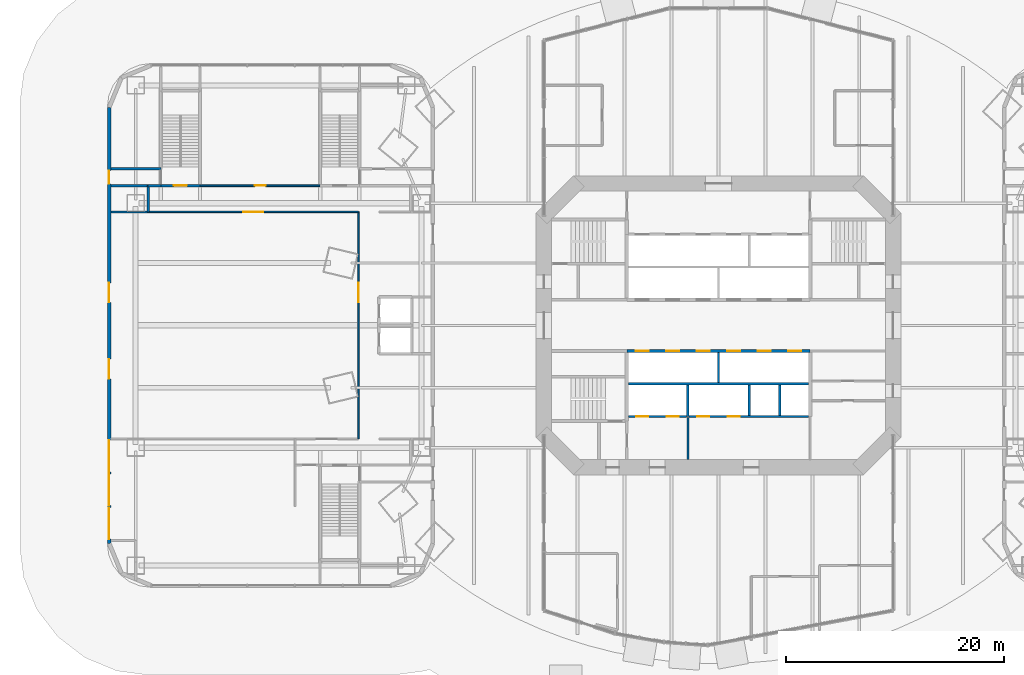
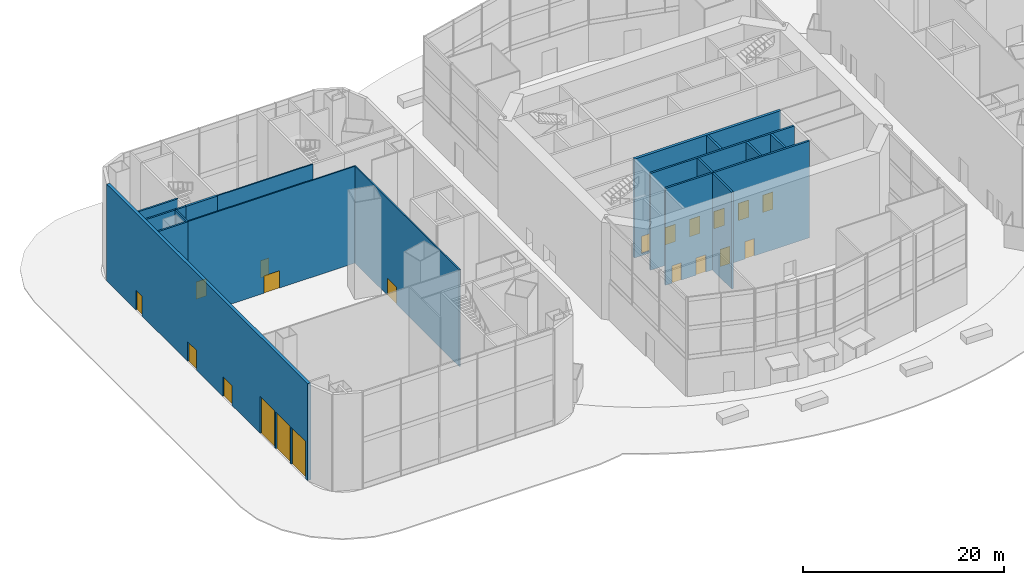
# One storey, part 12 of 23: 20 doors, 19 walls, 20 openings.
"""IFC4 building model written with IfcOpenShell, lengths in metres."""

from ifc_helpers import new_model, si_unit, direction, frame, frame_2d, origin, place, context, subcontext, project, spatial, rectangle, extrude, material, layer, layer_set, type_object, element, fill, save


model = new_model("IFC4")

# Units and contexts
model_context = context("Model", 3, precision=1e-05, world=origin(), true_north=direction((0.0, 1.0)))
body_context = subcontext(model_context, "Body", "Model", "MODEL_VIEW")
ifc_project = project(units=[si_unit("LENGTHUNIT", "METRE"), si_unit("AREAUNIT", "SQUARE_METRE"), si_unit("VOLUMEUNIT", "CUBIC_METRE"), si_unit("PLANEANGLEUNIT", "RADIAN"), si_unit("MASSUNIT", "GRAM", prefix="KILO")], contexts=[model_context])

# Site, building, storey
site_placement = place(None, origin())
site = spatial("IfcSite", under=ifc_project, at=site_placement, CompositionType="ELEMENT")
building_placement = place(site_placement, origin())
building = spatial("IfcBuilding", under=site, at=building_placement, Name="Marenthal Gate Tower", CompositionType="ELEMENT")
storey_placement = place(building_placement, origin())
storey = spatial("IfcBuildingStorey", under=building, at=storey_placement, Name="L00", CompositionType="ELEMENT", Elevation=0.0)

# Wall
ifc_material_1 = material(Name="Gypsum board on steel studs", Category="steel")
ifc_layer_1 = layer(ifc_material_1, 0.199951171875)
ifc_layer_set_1 = layer_set([ifc_layer_1], Name="Fire lobby wall 200")
wall_type_1 = type_object("IfcWallType", Name="Fire lobby wall 200", PredefinedType="PARTITIONING", material=ifc_layer_set_1)
wall_1_placement = place(storey_placement, frame((-2.800048828125, -12.300048828125, 0.0), z_axis=(0.0, 0.0, 1.0), x_axis=(0.0, 1.0, 0.0)))
element("IfcWall", 1, at=wall_1_placement, inside=storey, type_object=wall_type_1, Name="Fire wall 35", PredefinedType="PARTITIONING", context=body_context, shape_type="SweptSolid", body=[
    extrude(rectangle(XDim=3.840087890625, YDim=0.199951171875, at=frame_2d((1.919921875, 0.0))), origin(), (0.0, 0.0, 1.0), 11.75),
])

# Wall, openings, doors
ifc_material_2 = material(Name="Concrete 50 MPa", Category="concrete")
ifc_layer_2 = layer(ifc_material_2, 0.300048828125)
ifc_layer_set_2 = layer_set([ifc_layer_2], Name="Hoistway shear wall 300")
wall_type_2 = type_object("IfcWallType", Name="Hoistway shear wall 300", PredefinedType="SHEAR", material=ifc_layer_set_2)
wall_2_placement = place(storey_placement, frame((-8.39990234375, -2.35009765625, -0.25), z_axis=(0.0, 0.0, 1.0), x_axis=(1.0, 0.0, 0.0)))
wall_2 = element("IfcWall", 2, at=wall_2_placement, inside=storey, type_object=wall_type_2, Name="Hoistway wall 17", PredefinedType="SHEAR", context=body_context, shape_type="SweptSolid", body=[
    extrude(rectangle(XDim=16.7998046875, YDim=0.300048828125, at=frame_2d((8.39990234375, 0.0))), origin(), (0.0, 0.0, 1.0), 12.0),
])
opening_1_placement = place(wall_2_placement, frame((0.800048828125, 0.0, 0.25)))
opening_1 = element("IfcOpeningElement", 3, at=opening_1_placement, cuts=wall_2, Name="Opening LD-LP7", PredefinedType="OPENING", context=body_context, shape_type="SweptSolid", body=[
    extrude(rectangle(XDim=1.199951171875, YDim=2.10009765625, at=frame_2d((0.60009765625, 1.050048828125))), frame((0.0, 0.16015625, 0.0), z_axis=(0.0, -1.0, 0.0), x_axis=(1.0, 0.0, 0.0)), (0.0, 0.0, 1.0), 0.320068359375),
])
opening_2_placement = place(wall_2_placement, frame((3.60009765625, 0.0, 0.25)))
opening_2 = element("IfcOpeningElement", 4, at=opening_2_placement, cuts=wall_2, Name="Opening LD-LP8", PredefinedType="OPENING", context=body_context, shape_type="SweptSolid", body=[
    extrude(rectangle(XDim=1.199951171875, YDim=2.10009765625, at=frame_2d((0.60009765625, 1.050048828125))), frame((0.0, 0.16015625, 0.0), z_axis=(0.0, -1.0, 0.0), x_axis=(1.0, 0.0, 0.0)), (0.0, 0.0, 1.0), 0.320068359375),
])
opening_3_placement = place(wall_2_placement, frame((6.39990234375, 0.0, 0.25)))
opening_3 = element("IfcOpeningElement", 5, at=opening_3_placement, cuts=wall_2, Name="Opening LD-LP9", PredefinedType="OPENING", context=body_context, shape_type="SweptSolid", body=[
    extrude(rectangle(XDim=1.199951171875, YDim=2.10009765625, at=frame_2d((0.60009765625, 1.050048828125))), frame((0.0, 0.16015625, 0.0), z_axis=(0.0, -1.0, 0.0), x_axis=(1.0, 0.0, 0.0)), (0.0, 0.0, 1.0), 0.320068359375),
])
opening_4_placement = place(wall_2_placement, frame((9.199951171875, 0.0, 0.25)))
opening_4 = element("IfcOpeningElement", 6, at=opening_4_placement, cuts=wall_2, Name="Opening LD-LP10", PredefinedType="OPENING", context=body_context, shape_type="SweptSolid", body=[
    extrude(rectangle(XDim=1.199951171875, YDim=2.10009765625, at=frame_2d((0.60009765625, 1.050048828125))), frame((0.0, 0.16015625, 0.0), z_axis=(0.0, -1.0, 0.0), x_axis=(1.0, 0.0, 0.0)), (0.0, 0.0, 1.0), 0.320068359375),
])
opening_5_placement = place(wall_2_placement, frame((12.0, 0.0, 0.25)))
opening_5 = element("IfcOpeningElement", 7, at=opening_5_placement, cuts=wall_2, Name="Opening LD-LP11", PredefinedType="OPENING", context=body_context, shape_type="SweptSolid", body=[
    extrude(rectangle(XDim=1.199951171875, YDim=2.10009765625, at=frame_2d((0.60009765625, 1.050048828125))), frame((0.0, 0.16015625, 0.0), z_axis=(0.0, -1.0, 0.0), x_axis=(1.0, 0.0, 0.0)), (0.0, 0.0, 1.0), 0.320068359375),
])
opening_6_placement = place(wall_2_placement, frame((14.800048828125, 0.0, 0.25)))
opening_6 = element("IfcOpeningElement", 8, at=opening_6_placement, cuts=wall_2, Name="Opening LD-LP12", PredefinedType="OPENING", context=body_context, shape_type="SweptSolid", body=[
    extrude(rectangle(XDim=1.199951171875, YDim=2.10009765625, at=frame_2d((0.60009765625, 1.050048828125))), frame((0.0, 0.16015625, 0.0), z_axis=(0.0, -1.0, 0.0), x_axis=(1.0, 0.0, 0.0)), (0.0, 0.0, 1.0), 0.320068359375),
])
ifc_material_3 = material(Name="Stainless steel sliding door", Category="steel")
door_type_1 = type_object("IfcDoorType", Name="Lift landing door FD 90 1200 x 2100", OperationType="DOUBLE_DOOR_SLIDING", PredefinedType="DOOR", material=ifc_material_3)
door_1_placement = place(opening_1_placement, origin())
door_1 = element("IfcDoor", 9, at=door_1_placement, inside=storey, type_object=door_type_1, Name="Lift landing door LP7", OperationType="DOUBLE_DOOR_SLIDING", OverallHeight=2.10009765625, OverallWidth=1.199951171875, PredefinedType="DOOR", context=body_context, shape_type="SweptSolid", body=[
    extrude(rectangle(XDim=1.199951171875, YDim=2.10009765625, at=frame_2d((0.60009765625, 1.050048828125))), frame((0.0, 0.02490234375, 0.0), z_axis=(0.0, -1.0, 0.0), x_axis=(1.0, 0.0, 0.0)), (0.0, 0.0, 1.0), 0.050048828125),
])
fill(opening_1, door_1)
door_2_placement = place(opening_2_placement, origin())
door_2 = element("IfcDoor", 10, at=door_2_placement, inside=storey, type_object=door_type_1, Name="Lift landing door LP8", OperationType="DOUBLE_DOOR_SLIDING", OverallHeight=2.10009765625, OverallWidth=1.199951171875, PredefinedType="DOOR", context=body_context, shape_type="SweptSolid", body=[
    extrude(rectangle(XDim=1.199951171875, YDim=2.10009765625, at=frame_2d((0.60009765625, 1.050048828125))), frame((0.0, 0.02490234375, 0.0), z_axis=(0.0, -1.0, 0.0), x_axis=(1.0, 0.0, 0.0)), (0.0, 0.0, 1.0), 0.050048828125),
])
fill(opening_2, door_2)
door_3_placement = place(opening_3_placement, origin())
door_3 = element("IfcDoor", 11, at=door_3_placement, inside=storey, type_object=door_type_1, Name="Lift landing door LP9", OperationType="DOUBLE_DOOR_SLIDING", OverallHeight=2.10009765625, OverallWidth=1.199951171875, PredefinedType="DOOR", context=body_context, shape_type="SweptSolid", body=[
    extrude(rectangle(XDim=1.199951171875, YDim=2.10009765625, at=frame_2d((0.60009765625, 1.050048828125))), frame((0.0, 0.02490234375, 0.0), z_axis=(0.0, -1.0, 0.0), x_axis=(1.0, 0.0, 0.0)), (0.0, 0.0, 1.0), 0.050048828125),
])
fill(opening_3, door_3)
door_4_placement = place(opening_4_placement, origin())
door_4 = element("IfcDoor", 12, at=door_4_placement, inside=storey, type_object=door_type_1, Name="Lift landing door LP10", OperationType="DOUBLE_DOOR_SLIDING", OverallHeight=2.10009765625, OverallWidth=1.199951171875, PredefinedType="DOOR", context=body_context, shape_type="SweptSolid", body=[
    extrude(rectangle(XDim=1.199951171875, YDim=2.10009765625, at=frame_2d((0.60009765625, 1.050048828125))), frame((0.0, 0.02490234375, 0.0), z_axis=(0.0, -1.0, 0.0), x_axis=(1.0, 0.0, 0.0)), (0.0, 0.0, 1.0), 0.050048828125),
])
fill(opening_4, door_4)
door_5_placement = place(opening_5_placement, origin())
door_5 = element("IfcDoor", 13, at=door_5_placement, inside=storey, type_object=door_type_1, Name="Lift landing door LP11", OperationType="DOUBLE_DOOR_SLIDING", OverallHeight=2.10009765625, OverallWidth=1.199951171875, PredefinedType="DOOR", context=body_context, shape_type="SweptSolid", body=[
    extrude(rectangle(XDim=1.199951171875, YDim=2.10009765625, at=frame_2d((0.60009765625, 1.050048828125))), frame((0.0, 0.02490234375, 0.0), z_axis=(0.0, -1.0, 0.0), x_axis=(1.0, 0.0, 0.0)), (0.0, 0.0, 1.0), 0.050048828125),
])
fill(opening_5, door_5)
door_6_placement = place(opening_6_placement, origin())
door_6 = element("IfcDoor", 14, at=door_6_placement, inside=storey, type_object=door_type_1, Name="Lift landing door LP12", OperationType="DOUBLE_DOOR_SLIDING", OverallHeight=2.10009765625, OverallWidth=1.199951171875, PredefinedType="DOOR", context=body_context, shape_type="SweptSolid", body=[
    extrude(rectangle(XDim=1.199951171875, YDim=2.10009765625, at=frame_2d((0.60009765625, 1.050048828125))), frame((0.0, 0.02490234375, 0.0), z_axis=(0.0, -1.0, 0.0), x_axis=(1.0, 0.0, 0.0)), (0.0, 0.0, 1.0), 0.050048828125),
])
fill(opening_6, door_6)

ifc_material_4 = material(Name="Concrete 40 MPa", Category="concrete")
ifc_layer_3 = layer(ifc_material_4, 0.219970703125)
ifc_layer_set_3 = layer_set([ifc_layer_3], Name="Hoistway wall 220")
wall_type_3 = type_object("IfcWallType", Name="Hoistway wall 220", PredefinedType="STANDARD", material=ifc_layer_set_3)
wall_3_placement = place(storey_placement, frame((-8.25, -8.35009765625, 0.0), z_axis=(0.0, 0.0, 1.0), x_axis=(1.0, 0.0, 0.0)))
wall_3 = element("IfcWall", 15, at=wall_3_placement, inside=storey, type_object=wall_type_3, Name="Hoistway wall 10", PredefinedType="STANDARD", context=body_context, shape_type="SweptSolid", body=[
    extrude(rectangle(XDim=5.340087890625, YDim=0.219970703125, at=frame_2d((2.669921875, 0.0))), origin(), (0.0, 0.0, 1.0), 11.75),
])
opening_7_placement = place(wall_3_placement, frame((0.699951171875, 0.0, 0.0)))
opening_7 = element("IfcOpeningElement", 16, at=opening_7_placement, cuts=wall_3, Name="Opening LD-LF1", PredefinedType="OPENING", context=body_context, shape_type="SweptSolid", body=[
    extrude(rectangle(XDim=1.10009765625, YDim=2.10009765625, at=frame_2d((0.550048828125, 1.050048828125))), frame((0.0, 0.1201171875, 0.0), z_axis=(0.0, -1.0, 0.0), x_axis=(1.0, 0.0, 0.0)), (0.0, 0.0, 1.0), 0.239990234375),
])
opening_8_placement = place(wall_3_placement, frame((3.5, 0.0, 0.0)))
opening_8 = element("IfcOpeningElement", 17, at=opening_8_placement, cuts=wall_3, Name="Opening LD-LF2", PredefinedType="OPENING", context=body_context, shape_type="SweptSolid", body=[
    extrude(rectangle(XDim=1.10009765625, YDim=2.10009765625, at=frame_2d((0.550048828125, 1.050048828125))), frame((0.0, 0.1201171875, 0.0), z_axis=(0.0, -1.0, 0.0), x_axis=(1.0, 0.0, 0.0)), (0.0, 0.0, 1.0), 0.239990234375),
])
ifc_material_5 = material(Name="Stainless steel sliding door", Category="steel")
door_type_2 = type_object("IfcDoorType", Name="Lift landing door FD 90 1100 x 2100", OperationType="DOUBLE_DOOR_SLIDING", PredefinedType="DOOR", material=ifc_material_5)
door_7_placement = place(opening_7_placement, origin())
door_7 = element("IfcDoor", 18, at=door_7_placement, inside=storey, type_object=door_type_2, Name="Lift landing door LF1", OperationType="DOUBLE_DOOR_SLIDING", OverallHeight=2.10009765625, OverallWidth=1.10009765625, PredefinedType="DOOR", context=body_context, shape_type="SweptSolid", body=[
    extrude(rectangle(XDim=1.10009765625, YDim=2.10009765625, at=frame_2d((0.550048828125, 1.050048828125))), frame((0.0, 0.02490234375, 0.0), z_axis=(0.0, -1.0, 0.0), x_axis=(1.0, 0.0, 0.0)), (0.0, 0.0, 1.0), 0.050048828125),
])
fill(opening_7, door_7)
door_8_placement = place(opening_8_placement, origin())
door_8 = element("IfcDoor", 19, at=door_8_placement, inside=storey, type_object=door_type_2, Name="Lift landing door LF2", OperationType="DOUBLE_DOOR_SLIDING", OverallHeight=2.10009765625, OverallWidth=1.10009765625, PredefinedType="DOOR", context=body_context, shape_type="SweptSolid", body=[
    extrude(rectangle(XDim=1.10009765625, YDim=2.10009765625, at=frame_2d((0.550048828125, 1.050048828125))), frame((0.0, 0.02490234375, 0.0), z_axis=(0.0, -1.0, 0.0), x_axis=(1.0, 0.0, 0.0)), (0.0, 0.0, 1.0), 0.050048828125),
])
fill(opening_8, door_8)

wall_4_placement = place(storey_placement, frame((-2.68994140625, -8.35009765625, 0.0), z_axis=(0.0, 0.0, 1.0), x_axis=(1.0, 0.0, 0.0)))
wall_4 = element("IfcWall", 20, at=wall_4_placement, inside=storey, type_object=wall_type_3, Name="Hoistway wall 11", PredefinedType="STANDARD", context=body_context, shape_type="SweptSolid", body=[
    extrude(rectangle(XDim=10.93994140625, YDim=0.219970703125, at=frame_2d((5.469970703125, 0.0))), origin(), (0.0, 0.0, 1.0), 11.75),
])
opening_9_placement = place(wall_4_placement, frame((0.739990234375, 0.0, 0.0)))
opening_9 = element("IfcOpeningElement", 21, at=opening_9_placement, cuts=wall_4, Name="Opening LD-SV1", PredefinedType="OPENING", context=body_context, shape_type="SweptSolid", body=[
    extrude(rectangle(XDim=1.10009765625, YDim=2.10009765625, at=frame_2d((0.550048828125, 1.050048828125))), frame((0.0, 0.1201171875, 0.0), z_axis=(0.0, -1.0, 0.0), x_axis=(1.0, 0.0, 0.0)), (0.0, 0.0, 1.0), 0.239990234375),
])
opening_10_placement = place(wall_4_placement, frame((3.5400390625, 0.0, 0.0)))
opening_10 = element("IfcOpeningElement", 22, at=opening_10_placement, cuts=wall_4, Name="Opening LD-SV2", PredefinedType="OPENING", context=body_context, shape_type="SweptSolid", body=[
    extrude(rectangle(XDim=1.10009765625, YDim=2.10009765625, at=frame_2d((0.550048828125, 1.050048828125))), frame((0.0, 0.1201171875, 0.0), z_axis=(0.0, -1.0, 0.0), x_axis=(1.0, 0.0, 0.0)), (0.0, 0.0, 1.0), 0.239990234375),
])
door_9_placement = place(opening_9_placement, origin())
door_9 = element("IfcDoor", 23, at=door_9_placement, inside=storey, type_object=door_type_2, Name="Lift landing door SV1", OperationType="DOUBLE_DOOR_SLIDING", OverallHeight=2.10009765625, OverallWidth=1.10009765625, PredefinedType="DOOR", context=body_context, shape_type="SweptSolid", body=[
    extrude(rectangle(XDim=1.10009765625, YDim=2.10009765625, at=frame_2d((0.550048828125, 1.050048828125))), frame((0.0, 0.02490234375, 0.0), z_axis=(0.0, -1.0, 0.0), x_axis=(1.0, 0.0, 0.0)), (0.0, 0.0, 1.0), 0.050048828125),
])
fill(opening_9, door_9)
door_10_placement = place(opening_10_placement, origin())
door_10 = element("IfcDoor", 24, at=door_10_placement, inside=storey, type_object=door_type_2, Name="Lift landing door SV2", OperationType="DOUBLE_DOOR_SLIDING", OverallHeight=2.10009765625, OverallWidth=1.10009765625, PredefinedType="DOOR", context=body_context, shape_type="SweptSolid", body=[
    extrude(rectangle(XDim=1.10009765625, YDim=2.10009765625, at=frame_2d((0.550048828125, 1.050048828125))), frame((0.0, 0.02490234375, 0.0), z_axis=(0.0, -1.0, 0.0), x_axis=(1.0, 0.0, 0.0)), (0.0, 0.0, 1.0), 0.050048828125),
])
fill(opening_10, door_10)

# Walls
wall_5_placement = place(storey_placement, frame((-8.25, -5.35009765625, 0.0), z_axis=(0.0, 0.0, 1.0), x_axis=(1.0, 0.0, 0.0)))
element("IfcWall", 25, at=wall_5_placement, inside=storey, type_object=wall_type_3, Name="Hoistway wall 13", PredefinedType="STANDARD", context=body_context, shape_type="SweptSolid", body=[
    extrude(rectangle(XDim=16.5, YDim=0.219970703125, at=frame_2d((8.25, 0.0))), origin(), (0.0, 0.0, 1.0), 11.75),
])
wall_6_placement = place(storey_placement, frame((-2.800048828125, -8.35009765625, 0.0), z_axis=(0.0, 0.0, 1.0), x_axis=(0.0, 1.0, 0.0)))
element("IfcWall", 26, at=wall_6_placement, inside=storey, type_object=wall_type_3, Name="Hoistway wall 36", PredefinedType="STANDARD", context=body_context, shape_type="SweptSolid", body=[
    extrude(rectangle(XDim=2.89013671875, YDim=0.219970703125, at=frame_2d((1.445068359375, 0.0))), origin(), (0.0, 0.0, 1.0), 11.75),
])
wall_7_placement = place(storey_placement, frame((0.0, -5.239990234375, 0.0), z_axis=(0.0, 0.0, 1.0), x_axis=(0.0, 1.0, 0.0)))
element("IfcWall", 27, at=wall_7_placement, inside=storey, type_object=wall_type_3, Name="Hoistway wall 37", PredefinedType="STANDARD", context=body_context, shape_type="SweptSolid", body=[
    extrude(rectangle(XDim=2.739990234375, YDim=0.219970703125, at=frame_2d((1.3701171875, 0.0))), origin(), (0.0, 0.0, 1.0), 11.75),
])
for number, where, z_axis, x_axis, name in (
    (28, (2.800048828125, -8.239990234375, 0.0), (0.0, 0.0, 1.0), (0.0, 1.0, 0.0), "Hoistway wall 39"),
    (29, (5.60009765625, -8.239990234375, 0.0), (0.0, 0.0, 1.0), (0.0, 1.0, 0.0), "Hoistway wall 41"),
):
    element("IfcWall", number, at=place(storey_placement, frame(where, z_axis=z_axis, x_axis=x_axis)), inside=storey, type_object=wall_type_3, Name=name, PredefinedType="STANDARD", context=body_context, shape_type="SweptSolid", body=[
        extrude(rectangle(XDim=2.780029296875, YDim=0.219970703125, at=frame_2d((1.39013671875, 0.0))), origin(), (0.0, 0.0, 1.0), 11.75),
    ])

# Wall, opening, door
ifc_material_6 = material(Name="Gypsum board on steel studs", Category="steel")
ifc_layer_4 = layer(ifc_material_6, 0.14990234375)
ifc_layer_set_4 = layer_set([ifc_layer_4], Name="Partition 150")
wall_type_4 = type_object("IfcWallType", Name="Partition 150", PredefinedType="PARTITIONING", material=ifc_layer_set_4)
wall_8_placement = place(storey_placement, frame((-52.25, 10.39990234375, 0.0), z_axis=(0.0, 0.0, 1.0), x_axis=(1.0, 0.0, 0.0)))
wall_8 = element("IfcWall", 30, at=wall_8_placement, inside=storey, type_object=wall_type_4, Name="Partition wall 80", PredefinedType="PARTITIONING", context=body_context, shape_type="SweptSolid", body=[
    extrude(rectangle(XDim=19.2548828125, YDim=0.14990234375, at=frame_2d((9.62744140625, 0.0))), origin(), (0.0, 0.0, 1.0), 11.75),
])
opening_11_placement = place(wall_8_placement, frame((8.722412109375, 0.0, 0.0)))
opening_11 = element("IfcOpeningElement", 31, at=opening_11_placement, cuts=wall_8, Name="Opening D014.05", PredefinedType="OPENING", context=body_context, shape_type="SweptSolid", body=[
    extrude(rectangle(XDim=1.800048828125, YDim=2.10009765625, at=frame_2d((0.89990234375, 1.050048828125))), frame((0.0, 0.0849609375, 0.0), z_axis=(0.0, -1.0, 0.0), x_axis=(1.0, 0.0, 0.0)), (0.0, 0.0, 1.0), 0.169921875),
])
ifc_material_7 = material(Name="Timber door", Category="wood")
door_type_3 = type_object("IfcDoorType", Name="Double door 1800 x 2100", OperationType="DOUBLE_DOOR_SINGLE_SWING", PredefinedType="DOOR", material=ifc_material_7)
door_11_placement = place(opening_11_placement, origin())
door_11 = element("IfcDoor", 32, at=door_11_placement, inside=storey, type_object=door_type_3, Name="Door D014.05", OperationType="DOUBLE_DOOR_SINGLE_SWING", OverallHeight=2.10009765625, OverallWidth=1.800048828125, PredefinedType="DOOR", context=body_context, shape_type="SweptSolid", body=[
    extrude(rectangle(XDim=1.800048828125, YDim=2.10009765625, at=frame_2d((0.89990234375, 1.050048828125))), frame((0.0, 0.02490234375, 0.0), z_axis=(0.0, -1.0, 0.0), x_axis=(1.0, 0.0, 0.0)), (0.0, 0.0, 1.0), 0.050048828125),
])
fill(opening_11, door_11)

wall_9_placement = place(storey_placement, frame((-47.5048828125, 12.800048828125, 0.0), z_axis=(0.0, 0.0, 1.0), x_axis=(1.0, 0.0, 0.0)))
wall_9 = element("IfcWall", 33, at=wall_9_placement, inside=storey, type_object=wall_type_4, Name="Partition wall 84", PredefinedType="PARTITIONING", context=body_context, shape_type="SweptSolid", body=[
    extrude(rectangle(XDim=11.009765625, YDim=0.14990234375, at=frame_2d((5.5048828125, 0.0))), origin(), (0.0, 0.0, 1.0), 11.75),
])
opening_12_placement = place(wall_9_placement, frame((5.0048828125, 0.0, 0.0)))
opening_12 = element("IfcOpeningElement", 34, at=opening_12_placement, cuts=wall_9, Name="Opening D012.13", PredefinedType="OPENING", context=body_context, shape_type="SweptSolid", body=[
    extrude(rectangle(XDim=1.0, YDim=2.10009765625, at=frame_2d((0.5, 1.050048828125))), frame((0.0, 0.0849609375, 0.0), z_axis=(0.0, -1.0, 0.0), x_axis=(1.0, 0.0, 0.0)), (0.0, 0.0, 1.0), 0.169921875),
])
ifc_material_8 = material(Name="Timber door", Category="wood")
door_type_4 = type_object("IfcDoorType", Name="Door 1000 x 2100", OperationType="NOTDEFINED", PredefinedType="DOOR", material=ifc_material_8)
door_12_placement = place(opening_12_placement, origin())
door_12 = element("IfcDoor", 35, at=door_12_placement, inside=storey, type_object=door_type_4, Name="Door D012.13", OperationType="SINGLE_SWING_RIGHT", OverallHeight=2.10009765625, OverallWidth=1.0, PredefinedType="DOOR", context=body_context, shape_type="SweptSolid", body=[
    extrude(rectangle(XDim=1.0, YDim=2.10009765625, at=frame_2d((0.5, 1.050048828125))), frame((0.0, 0.02490234375, 0.0), z_axis=(0.0, -1.0, 0.0), x_axis=(1.0, 0.0, 0.0)), (0.0, 0.0, 1.0), 0.050048828125),
])
fill(opening_12, door_12)

wall_10_placement = place(storey_placement, frame((-33.0, -10.39990234375, 0.0), z_axis=(0.0, 0.0, 1.0), x_axis=(0.0, 1.0, 0.0)))
wall_10 = element("IfcWall", 36, at=wall_10_placement, inside=storey, type_object=wall_type_4, Name="Partition wall 97", PredefinedType="PARTITIONING", context=body_context, shape_type="SweptSolid", body=[
    extrude(rectangle(XDim=20.7998046875, YDim=0.14990234375, at=frame_2d((10.39990234375, 0.0))), origin(), (0.0, 0.0, 1.0), 11.75),
])
opening_13_placement = place(wall_10_placement, frame((12.5, 0.0, 0.0)))
opening_13 = element("IfcOpeningElement", 37, at=opening_13_placement, cuts=wall_10, Name="Opening D014.07", PredefinedType="OPENING", context=body_context, shape_type="SweptSolid", body=[
    extrude(rectangle(XDim=1.800048828125, YDim=2.10009765625, at=frame_2d((0.89990234375, 1.050048828125))), frame((0.0, 0.0849609375, 0.0), z_axis=(0.0, -1.0, 0.0), x_axis=(1.0, 0.0, 0.0)), (0.0, 0.0, 1.0), 0.169921875),
])
door_13_placement = place(opening_13_placement, origin())
door_13 = element("IfcDoor", 38, at=door_13_placement, inside=storey, type_object=door_type_3, Name="Door D014.07", OperationType="DOUBLE_DOOR_SINGLE_SWING", OverallHeight=2.10009765625, OverallWidth=1.800048828125, PredefinedType="DOOR", context=body_context, shape_type="SweptSolid", body=[
    extrude(rectangle(XDim=1.800048828125, YDim=2.10009765625, at=frame_2d((0.89990234375, 1.050048828125))), frame((0.0, 0.02490234375, 0.0), z_axis=(0.0, -1.0, 0.0), x_axis=(1.0, 0.0, 0.0)), (0.0, 0.0, 1.0), 0.050048828125),
])
fill(opening_13, door_13)

# Walls
ifc_material_9 = material(Name="Gypsum board on steel studs", Category="steel")
ifc_layer_5 = layer(ifc_material_9, 0.199951171875)
ifc_layer_set_5 = layer_set([ifc_layer_5], Name="Partition 200")
wall_type_5 = type_object("IfcWallType", Name="Partition 200", PredefinedType="PARTITIONING", material=ifc_layer_set_5)
wall_11_placement = place(storey_placement, frame((-52.25, 12.800048828125, 0.0), z_axis=(0.0, 0.0, 1.0), x_axis=(1.0, 0.0, 0.0)))
element("IfcWall", 39, at=wall_11_placement, inside=storey, type_object=wall_type_5, Name="Partition wall 62", PredefinedType="PARTITIONING", context=body_context, shape_type="SweptSolid", body=[
    extrude(rectangle(XDim=1.155029296875, YDim=0.199951171875, at=frame_2d((0.57763671875, 0.0))), origin(), (0.0, 0.0, 1.0), 11.75),
])
for number, where, z_axis, x_axis, name in (
    (40, (-55.669921875, 10.39990234375, 0.0), (0.0, 0.0, 1.0), (1.0, 0.0, 0.0), "Partition wall 12"),
    (41, (-55.669921875, 12.800048828125, 0.0), (0.0, 0.0, 1.0), (1.0, 0.0, 0.0), "Partition wall 16"),
):
    element("IfcWall", number, at=place(storey_placement, frame(where, z_axis=z_axis, x_axis=x_axis)), inside=storey, type_object=wall_type_5, Name=name, PredefinedType="PARTITIONING", context=body_context, shape_type="SweptSolid", body=[
        extrude(rectangle(XDim=3.423828125, YDim=0.199951171875, at=frame_2d((1.7119140625, 0.0))), origin(), (0.0, 0.0, 1.0), 11.75),
    ])
wall_12_placement = place(storey_placement, frame((-55.669921875, 14.35009765625, 0.0), z_axis=(0.0, 0.0, 1.0), x_axis=(1.0, 0.0, 0.0)))
element("IfcWall", 42, at=wall_12_placement, inside=storey, type_object=wall_type_5, Name="Partition wall 20", PredefinedType="PARTITIONING", context=body_context, shape_type="SweptSolid", body=[
    extrude(rectangle(XDim=4.56982421875, YDim=0.199951171875, at=frame_2d((2.284912109375, 0.0))), origin(), (0.0, 0.0, 1.0), 11.75),
])
wall_13_placement = place(storey_placement, frame((-52.25, 10.39990234375, 0.0), z_axis=(0.0, 0.0, 1.0), x_axis=(0.0, 1.0, 0.0)))
element("IfcWall", 43, at=wall_13_placement, inside=storey, type_object=wall_type_5, Name="Partition wall 43", PredefinedType="PARTITIONING", context=body_context, shape_type="SweptSolid", body=[
    extrude(rectangle(XDim=2.400146484375, YDim=0.199951171875, at=frame_2d((1.2001953125, 0.0))), origin(), (0.0, 0.0, 1.0), 11.75),
])

# Wall, opening, door
ifc_material_10 = material(Name="Concrete 50 MPa", Category="concrete")
ifc_layer_6 = layer(ifc_material_10, 0.25)
ifc_layer_set_6 = layer_set([ifc_layer_6], Name="Stair shear wall 250")
wall_type_6 = type_object("IfcWallType", Name="Stair shear wall 250", PredefinedType="SHEAR", material=ifc_layer_set_6)
wall_14_placement = place(storey_placement, frame((-51.10498046875, 12.800048828125, 0.0), z_axis=(0.0, 0.0, 1.0), x_axis=(1.0, 0.0, 0.0)))
wall_14 = element("IfcWall", 44, at=wall_14_placement, inside=storey, type_object=wall_type_6, Name="Stair wall 49", PredefinedType="SHEAR", context=body_context, shape_type="SweptSolid", body=[
    extrude(rectangle(XDim=3.60986328125, YDim=0.25, at=frame_2d((1.804931640625, 0.0))), origin(), (0.0, 0.0, 1.0), 11.75),
])
opening_14_placement = place(wall_14_placement, frame((1.205078125, 0.0, 0.0)))
opening_14 = element("IfcOpeningElement", 45, at=opening_14_placement, cuts=wall_14, Name="Opening D001.15", PredefinedType="OPENING", context=body_context, shape_type="SweptSolid", body=[
    extrude(rectangle(XDim=1.199951171875, YDim=2.10009765625, at=frame_2d((0.60009765625, 1.050048828125))), frame((0.0, 0.135009765625, 0.0), z_axis=(0.0, -1.0, 0.0), x_axis=(1.0, 0.0, 0.0)), (0.0, 0.0, 1.0), 0.27001953125),
])
ifc_material_11 = material(Name="Steel fire door", Category="steel")
door_type_5 = type_object("IfcDoorType", Name="Fire door FD 90 1200 x 2100", OperationType="NOTDEFINED", PredefinedType="DOOR", material=ifc_material_11)
door_14_placement = place(opening_14_placement, origin())
door_14 = element("IfcDoor", 46, at=door_14_placement, inside=storey, type_object=door_type_5, Name="Door D001.15", OperationType="SINGLE_SWING_RIGHT", OverallHeight=2.10009765625, OverallWidth=1.199951171875, PredefinedType="DOOR", context=body_context, shape_type="SweptSolid", body=[
    extrude(rectangle(XDim=1.199951171875, YDim=2.10009765625, at=frame_2d((0.60009765625, 1.050048828125))), frame((0.0, 0.02490234375, 0.0), z_axis=(0.0, -1.0, 0.0), x_axis=(1.0, 0.0, 0.0)), (0.0, 0.0, 1.0), 0.050048828125),
])
fill(opening_14, door_14)

# Wall, openings, doors
ifc_material_12 = material(Name="Terracotta cladding on insulated concrete-block backing", Category="masonry")
ifc_layer_7 = layer(ifc_material_12, 0.35009765625)
ifc_layer_set_7 = layer_set([ifc_layer_7], Name="Terracotta cladding wall 350")
wall_type_7 = type_object("IfcWallType", Name="Terracotta cladding wall 350", PredefinedType="SOLIDWALL", material=ifc_layer_set_7)
wall_15_placement = place(storey_placement, frame((-55.824951171875, 19.988525390625, 0.0), z_axis=(0.0, 0.0, 1.0), x_axis=(0.0, -1.0, 0.0)))
wall_15 = element("IfcWall", 47, at=wall_15_placement, inside=storey, type_object=wall_type_7, Name="Terracotta cladding wall L00 W9", PredefinedType="SOLIDWALL", context=body_context, shape_type="SweptSolid", body=[
    extrude(rectangle(XDim=39.97705078125, YDim=0.35009765625, at=frame_2d((19.988525390625, 0.0))), origin(), (0.0, 0.0, 1.0), 11.75),
])
opening_15_placement = place(wall_15_placement, frame((36.676025390625, 0.0, 0.0)))
opening_15 = element("IfcOpeningElement", 48, at=opening_15_placement, cuts=wall_15, Name="Opening SH1-L00-19", PredefinedType="OPENING", context=body_context, shape_type="SweptSolid", body=[
    extrude(rectangle(XDim=2.89990234375, YDim=4.5, at=frame_2d((1.449951171875, 2.25))), frame((0.0, 0.18505859375, 0.0), z_axis=(0.0, -1.0, 0.0), x_axis=(1.0, 0.0, 0.0)), (0.0, 0.0, 1.0), 0.3701171875),
])
opening_16_placement = place(wall_15_placement, frame((33.58837890625, 0.0, 0.0)))
opening_16 = element("IfcOpeningElement", 49, at=opening_16_placement, cuts=wall_15, Name="Opening SH1-L00-20", PredefinedType="OPENING", context=body_context, shape_type="SweptSolid", body=[
    extrude(rectangle(XDim=2.89990234375, YDim=4.5, at=frame_2d((1.449951171875, 2.25))), frame((0.0, 0.18505859375, 0.0), z_axis=(0.0, -1.0, 0.0), x_axis=(1.0, 0.0, 0.0)), (0.0, 0.0, 1.0), 0.3701171875),
])
opening_17_placement = place(wall_15_placement, frame((30.5009765625, 0.0, 0.0)))
opening_17 = element("IfcOpeningElement", 50, at=opening_17_placement, cuts=wall_15, Name="Opening SH1-L00-21", PredefinedType="OPENING", context=body_context, shape_type="SweptSolid", body=[
    extrude(rectangle(XDim=2.89990234375, YDim=4.5, at=frame_2d((1.449951171875, 2.25))), frame((0.0, 0.18505859375, 0.0), z_axis=(0.0, -1.0, 0.0), x_axis=(1.0, 0.0, 0.0)), (0.0, 0.0, 1.0), 0.3701171875),
])
opening_18_placement = place(wall_15_placement, frame((16.08837890625, 0.0, 0.0)))
opening_18 = element("IfcOpeningElement", 51, at=opening_18_placement, cuts=wall_15, Name="Opening DX1-L00-22", PredefinedType="OPENING", context=body_context, shape_type="SweptSolid", body=[
    extrude(rectangle(XDim=1.800048828125, YDim=2.39990234375, at=frame_2d((0.89990234375, 1.199951171875))), frame((0.0, 0.18505859375, 0.0), z_axis=(0.0, -1.0, 0.0), x_axis=(1.0, 0.0, 0.0)), (0.0, 0.0, 1.0), 0.3701171875),
])
opening_19_placement = place(wall_15_placement, frame((23.08837890625, 0.0, 0.0)))
opening_19 = element("IfcOpeningElement", 52, at=opening_19_placement, cuts=wall_15, Name="Opening DX1-L00-23", PredefinedType="OPENING", context=body_context, shape_type="SweptSolid", body=[
    extrude(rectangle(XDim=1.800048828125, YDim=2.39990234375, at=frame_2d((0.89990234375, 1.199951171875))), frame((0.0, 0.18505859375, 0.0), z_axis=(0.0, -1.0, 0.0), x_axis=(1.0, 0.0, 0.0)), (0.0, 0.0, 1.0), 0.3701171875),
])
opening_20_placement = place(wall_15_placement, frame((5.8134765625, 0.0, 0.0)))
opening_20 = element("IfcOpeningElement", 53, at=opening_20_placement, cuts=wall_15, Name="Opening DX1-L00-29", PredefinedType="OPENING", context=body_context, shape_type="SweptSolid", body=[
    extrude(rectangle(XDim=1.199951171875, YDim=2.39990234375, at=frame_2d((0.60009765625, 1.199951171875))), frame((0.0, 0.18505859375, 0.0), z_axis=(0.0, -1.0, 0.0), x_axis=(1.0, 0.0, 0.0)), (0.0, 0.0, 1.0), 0.3701171875),
])
ifc_material_13 = material(Name="Aluminium and glass", Category="aluminium")
door_type_6 = type_object("IfcDoorType", Name="Exit door 1200x2400", OperationType="NOTDEFINED", PredefinedType="DOOR", material=ifc_material_13)
door_15_placement = place(opening_20_placement, frame((1.199951171875, 0.0, 0.0), z_axis=(0.0, 0.0, 1.0), x_axis=(-1.0, 0.0, 0.0)))
door_15 = element("IfcDoor", 54, at=door_15_placement, inside=storey, type_object=door_type_6, Name="Exterior door DX1-L00-29 L00", OperationType="SINGLE_SWING_RIGHT", OverallHeight=2.39990234375, OverallWidth=1.199951171875, PredefinedType="DOOR", context=body_context, shape_type="SweptSolid", body=[
    extrude(rectangle(XDim=1.199951171875, YDim=2.39990234375, at=frame_2d((0.60009765625, 1.199951171875))), frame((0.0, 0.02490234375, 0.0), z_axis=(0.0, -1.0, 0.0), x_axis=(1.0, 0.0, 0.0)), (0.0, 0.0, 1.0), 0.050048828125),
])
fill(opening_20, door_15)
ifc_material_14 = material(Name="Aluminium and glass", Category="aluminium")
door_type_7 = type_object("IfcDoorType", Name="Exit door 1800x2400", OperationType="NOTDEFINED", PredefinedType="DOOR", material=ifc_material_14)
door_16_placement = place(opening_18_placement, frame((1.800048828125, 0.0, 0.0), z_axis=(0.0, 0.0, 1.0), x_axis=(-1.0, 0.0, 0.0)))
door_16 = element("IfcDoor", 55, at=door_16_placement, inside=storey, type_object=door_type_7, Name="Exterior door DX1-L00-22 L00", OperationType="SINGLE_SWING_RIGHT", OverallHeight=2.39990234375, OverallWidth=1.800048828125, PredefinedType="DOOR", context=body_context, shape_type="SweptSolid", body=[
    extrude(rectangle(XDim=1.800048828125, YDim=2.39990234375, at=frame_2d((0.89990234375, 1.199951171875))), frame((0.0, 0.02490234375, 0.0), z_axis=(0.0, -1.0, 0.0), x_axis=(1.0, 0.0, 0.0)), (0.0, 0.0, 1.0), 0.050048828125),
])
fill(opening_18, door_16)
door_17_placement = place(opening_19_placement, frame((1.800048828125, 0.0, 0.0), z_axis=(0.0, 0.0, 1.0), x_axis=(-1.0, 0.0, 0.0)))
door_17 = element("IfcDoor", 56, at=door_17_placement, inside=storey, type_object=door_type_7, Name="Exterior door DX1-L00-23 L00", OperationType="SINGLE_SWING_RIGHT", OverallHeight=2.39990234375, OverallWidth=1.800048828125, PredefinedType="DOOR", context=body_context, shape_type="SweptSolid", body=[
    extrude(rectangle(XDim=1.800048828125, YDim=2.39990234375, at=frame_2d((0.89990234375, 1.199951171875))), frame((0.0, 0.02490234375, 0.0), z_axis=(0.0, -1.0, 0.0), x_axis=(1.0, 0.0, 0.0)), (0.0, 0.0, 1.0), 0.050048828125),
])
fill(opening_19, door_17)
ifc_material_15 = material(Name="Galvanised steel", Category="steel")
door_type_8 = type_object("IfcDoorType", Name="Shutter door 2900x4500", OperationType="ROLLINGUP", PredefinedType="DOOR", material=ifc_material_15)
door_18_placement = place(opening_15_placement, frame((2.89990234375, 0.0, 0.0), z_axis=(0.0, 0.0, 1.0), x_axis=(-1.0, 0.0, 0.0)))
door_18 = element("IfcDoor", 57, at=door_18_placement, inside=storey, type_object=door_type_8, Name="Exterior door SH1-L00-19 L00", OperationType="ROLLINGUP", OverallHeight=4.5, OverallWidth=2.89990234375, PredefinedType="DOOR", context=body_context, shape_type="SweptSolid", body=[
    extrude(rectangle(XDim=2.89990234375, YDim=4.5, at=frame_2d((1.449951171875, 2.25))), frame((0.0, 0.02490234375, 0.0), z_axis=(0.0, -1.0, 0.0), x_axis=(1.0, 0.0, 0.0)), (0.0, 0.0, 1.0), 0.050048828125),
])
fill(opening_15, door_18)
door_19_placement = place(opening_16_placement, frame((2.89990234375, 0.0, 0.0), z_axis=(0.0, 0.0, 1.0), x_axis=(-1.0, 0.0, 0.0)))
door_19 = element("IfcDoor", 58, at=door_19_placement, inside=storey, type_object=door_type_8, Name="Exterior door SH1-L00-20 L00", OperationType="ROLLINGUP", OverallHeight=4.5, OverallWidth=2.89990234375, PredefinedType="DOOR", context=body_context, shape_type="SweptSolid", body=[
    extrude(rectangle(XDim=2.89990234375, YDim=4.5, at=frame_2d((1.449951171875, 2.25))), frame((0.0, 0.02490234375, 0.0), z_axis=(0.0, -1.0, 0.0), x_axis=(1.0, 0.0, 0.0)), (0.0, 0.0, 1.0), 0.050048828125),
])
fill(opening_16, door_19)
door_20_placement = place(opening_17_placement, frame((2.89990234375, 0.0, 0.0), z_axis=(0.0, 0.0, 1.0), x_axis=(-1.0, 0.0, 0.0)))
door_20 = element("IfcDoor", 59, at=door_20_placement, inside=storey, type_object=door_type_8, Name="Exterior door SH1-L00-21 L00", OperationType="ROLLINGUP", OverallHeight=4.5, OverallWidth=2.89990234375, PredefinedType="DOOR", context=body_context, shape_type="SweptSolid", body=[
    extrude(rectangle(XDim=2.89990234375, YDim=4.5, at=frame_2d((1.449951171875, 2.25))), frame((0.0, 0.02490234375, 0.0), z_axis=(0.0, -1.0, 0.0), x_axis=(1.0, 0.0, 0.0)), (0.0, 0.0, 1.0), 0.050048828125),
])
fill(opening_17, door_20)

save(model, "model.ifc")
